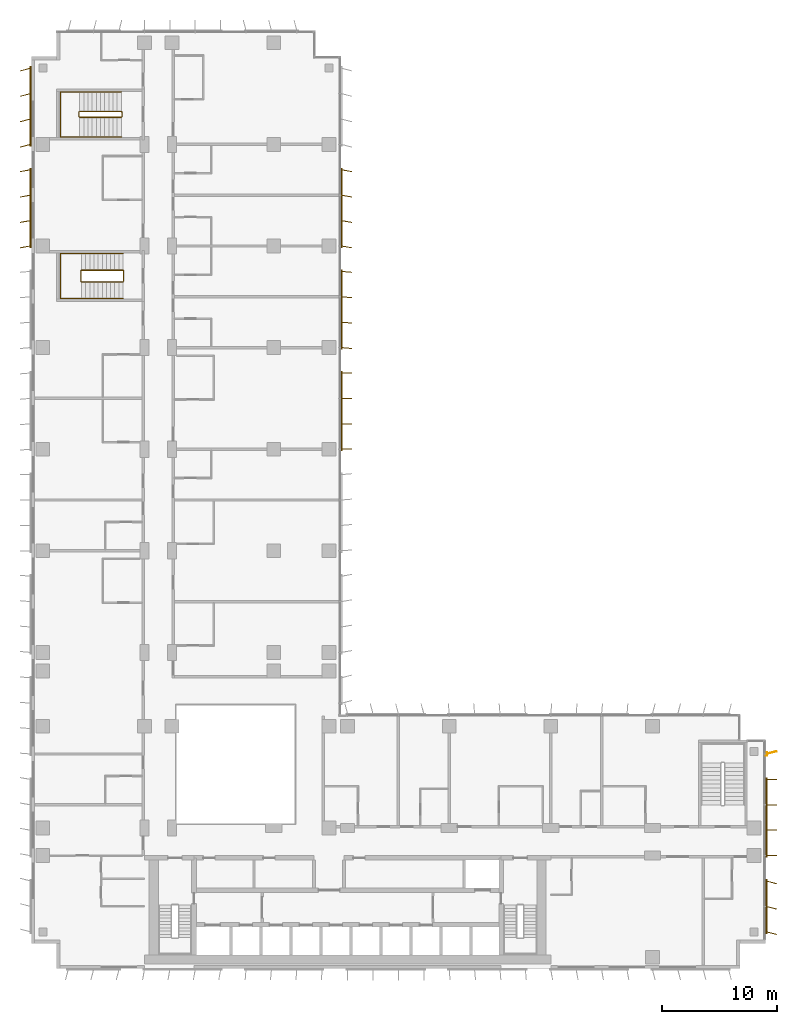
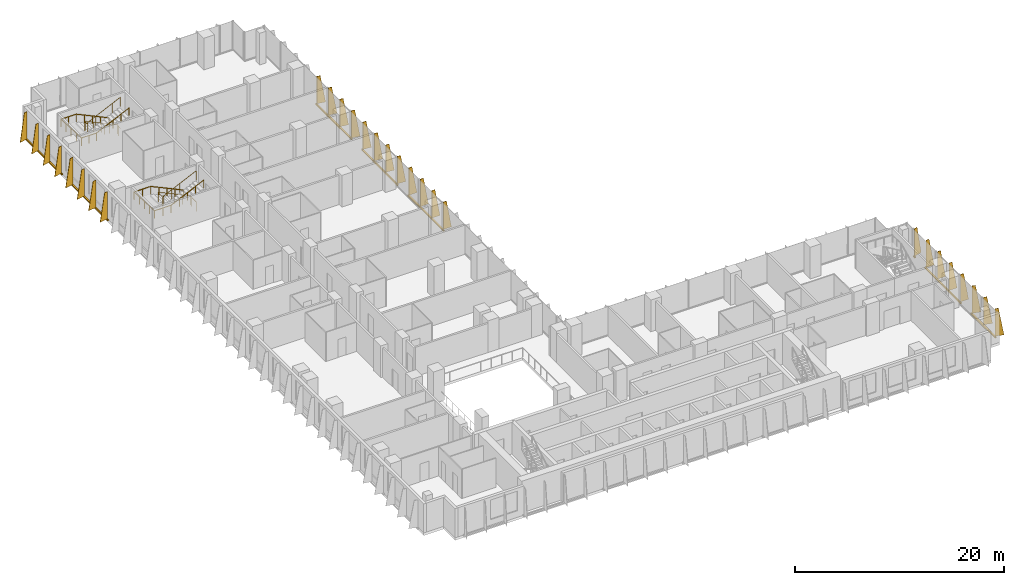
# One storey, part 21 of 22: 8 shading devices, 4 railings.
"""IFC4 building model written with IfcOpenShell, lengths in metres."""

import ifcopenshell
import ifcopenshell.guid

model = None  # the IFC model being written
_history = None  # IfcOwnerHistory: only IFC2X3 demands one
_inside = {}  # id of a spatial element -> (the spatial element, [elements in it])
_under = {}  # id of a project, library or spatial element -> (it, [spatial elements below it])
_declared = {}  # id of a project -> (the project, [libraries it declares])
_typed = {}  # id of a type object -> (the type object, [elements of that type])
_made_of = {}  # id of a material, layer set ... -> (it, [elements and type objects made of it])


def new_model(schema):
    """Start an empty IFC model of exactly this schema.

    Asked for "IFC4X3", IfcOpenShell would pick the latest addendum, in which some entities
    have other attributes; the version numbers below select the first issue.
    IFC2X3 requires an IfcOwnerHistory on every rooted entity: one is made here for all.
    """
    global model, _history
    if schema == "IFC4X3":
        model = ifcopenshell.file(schema_version=(4, 3, 0, 0))
    else:
        model = ifcopenshell.file(schema=schema)
    _inside.clear()
    _under.clear()
    _declared.clear()
    _typed.clear()
    _made_of.clear()
    _history = None
    if model.schema == "IFC2X3":
        org = make("IfcOrganization", Name="unknown")
        user = make(
            "IfcPersonAndOrganization",
            ThePerson=make("IfcPerson", FamilyName="unknown"),
            TheOrganization=org,
        )
        app = make(
            "IfcApplication",
            ApplicationDeveloper=org,
            Version="unknown",
            ApplicationFullName="unknown",
            ApplicationIdentifier="unknown",
        )
        _history = make(
            "IfcOwnerHistory",
            OwningUser=user,
            OwningApplication=app,
            ChangeAction="ADDED",
            CreationDate=0,
        )
    return model


def make(cls, **values):
    """One entity of the class cls with the attributes given. An attribute that is None is left unset."""
    return model.create_entity(
        cls, **{name: value for name, value in values.items() if value is not None}
    )


def rooted(cls, **values):
    """An entity with a GlobalId (a new one), such as an element, a storey or a relation."""
    return make(cls, GlobalId=ifcopenshell.guid.new(), OwnerHistory=_history, **values)


def si_unit(unit_type, name, prefix=None):
    """IfcSIUnit, for example si_unit("LENGTHUNIT", "METRE", prefix="MILLI")."""
    return make("IfcSIUnit", UnitType=unit_type, Prefix=prefix, Name=name)


def assignment(units):
    """IfcUnitAssignment: the units of a project."""
    return None if units is None else make("IfcUnitAssignment", Units=units)


def point(xyz):
    """IfcCartesianPoint."""
    return None if xyz is None else make("IfcCartesianPoint", Coordinates=xyz)


def direction(xyz):
    """IfcDirection."""
    return None if xyz is None else make("IfcDirection", DirectionRatios=xyz)


def frame(location, z_axis=None, x_axis=None):
    """IfcAxis2Placement3D, a coordinate frame: its origin and axes. An axis left out is left unset."""
    return make(
        "IfcAxis2Placement3D",
        Location=point(location),
        Axis=direction(z_axis),
        RefDirection=direction(x_axis),
    )


def frame_2d(location, x_axis=None):
    """IfcAxis2Placement2D, a coordinate frame in the plane: its origin and x axis."""
    return make(
        "IfcAxis2Placement2D", Location=point(location), RefDirection=direction(x_axis)
    )


def origin():
    """The frame at (0, 0, 0) with its axes left unset."""
    return frame((0.0, 0.0, 0.0))


def origin_2d():
    """The frame at (0, 0) in the plane with its x axis left unset."""
    return frame_2d((0.0, 0.0))


def place(relative_to, where):
    """IfcLocalPlacement: puts the frame where relative to a parent placement (None: the world)."""
    return make(
        "IfcLocalPlacement", PlacementRelTo=relative_to, RelativePlacement=where
    )


def context(
    kind, dimensions, precision=None, world=None, true_north=None, identifier=None
):
    """IfcGeometricRepresentationContext, for example the 3D "Model" context."""
    return make(
        "IfcGeometricRepresentationContext",
        ContextIdentifier=identifier,
        ContextType=kind,
        CoordinateSpaceDimension=dimensions,
        Precision=precision,
        WorldCoordinateSystem=world,
        TrueNorth=true_north,
    )


def subcontext(parent, identifier, kind, view, scale=None):
    """IfcGeometricRepresentationSubContext, for example "Body" below "Model"."""
    return make(
        "IfcGeometricRepresentationSubContext",
        ContextIdentifier=identifier,
        ContextType=kind,
        ParentContext=parent,
        TargetScale=scale,
        TargetView=view,
    )


def project(units=None, contexts=None):
    """IfcProject with its units and contexts."""
    return rooted(
        "IfcProject",
        Name="project",
        RepresentationContexts=contexts,
        UnitsInContext=assignment(units),
    )


def spatial(cls, under=None, at=None, **own):
    """A site, building, storey or space (cls), placed at a placement, below another one or the project."""
    s = rooted(cls, ObjectPlacement=at, **own)
    if under is not None:
        _under.setdefault(under.id(), (under, []))[1].append(s)
    return s


def polyline(points):
    """IfcPolyline through the points."""
    return make("IfcPolyline", Points=[point(p) for p in points])


def profile(cls, at=None, kind="AREA", **sizes):
    """A parametric profile (cls). Its sizes go by their IFC names, for example OverallWidth=200.0."""
    return make(cls, ProfileType=kind, Position=at, **sizes)


def rectangle(**sizes):
    """IfcRectangleProfileDef."""
    return profile("IfcRectangleProfileDef", **sizes)


def circle(**sizes):
    """IfcCircleProfileDef."""
    return profile("IfcCircleProfileDef", **sizes)


def outline(outer, holes=None, kind="AREA"):
    """IfcArbitraryClosedProfileDef: a profile drawn as a closed curve; with holes, ...WithVoids."""
    if holes is None:
        return make("IfcArbitraryClosedProfileDef", ProfileType=kind, OuterCurve=outer)
    return make(
        "IfcArbitraryProfileDefWithVoids",
        ProfileType=kind,
        OuterCurve=outer,
        InnerCurves=holes,
    )


def extrude(swept, where, along, depth):
    """IfcExtrudedAreaSolid: the profile swept, set in the frame where, extruded along a direction by depth."""
    return make(
        "IfcExtrudedAreaSolid",
        SweptArea=swept,
        Position=where,
        ExtrudedDirection=direction(along),
        Depth=depth,
    )


def shape(context_of_items, identifier, shape_type, items):
    """IfcShapeRepresentation: the items that make up one representation, for example the "Body"."""
    return make(
        "IfcShapeRepresentation",
        ContextOfItems=context_of_items,
        RepresentationIdentifier=identifier,
        RepresentationType=shape_type,
        Items=items,
    )


def source(mapping_origin, context_of_items, identifier, shape_type, items):
    """IfcRepresentationMap: a shape defined once, which mapped items show again and again."""
    return make(
        "IfcRepresentationMap",
        MappingOrigin=mapping_origin,
        MappedRepresentation=shape(context_of_items, identifier, shape_type, items),
    )


def transform(
    local_origin,
    x_axis=None,
    y_axis=None,
    z_axis=None,
    scale=None,
    scale2=None,
    scale3=None,
    uniform=True,
):
    """IfcCartesianTransformationOperator3D, or its non-uniform kind. x_axis, y_axis, z_axis: its Axis1, 2, 3."""
    if uniform:
        return make(
            "IfcCartesianTransformationOperator3D",
            Axis1=direction(x_axis),
            Axis2=direction(y_axis),
            LocalOrigin=point(local_origin),
            Scale=scale,
            Axis3=direction(z_axis),
        )
    return make(
        "IfcCartesianTransformationOperator3DnonUniform",
        Axis1=direction(x_axis),
        Axis2=direction(y_axis),
        LocalOrigin=point(local_origin),
        Scale=scale,
        Axis3=direction(z_axis),
        Scale2=scale2,
        Scale3=scale3,
    )


def mapped(mapping_source, mapping_target):
    """IfcMappedItem: shows the shape of a source again, moved by a transform."""
    return make(
        "IfcMappedItem", MappingSource=mapping_source, MappingTarget=mapping_target
    )


def material(Name=None, Category=None):
    """IfcMaterial."""
    return make("IfcMaterial", Name=Name, Category=Category)


def layer(
    of_material, thickness, ventilated=None, Name=None, Category=None, Priority=None
):
    """IfcMaterialLayer: one layer of a wall or slab, of a material (None: an air gap)."""
    return make(
        "IfcMaterialLayer",
        Material=of_material,
        LayerThickness=thickness,
        IsVentilated=ventilated,
        Name=Name,
        Category=Category,
        Priority=Priority,
    )


def layer_set(layers, Name=None):
    """IfcMaterialLayerSet."""
    return make("IfcMaterialLayerSet", MaterialLayers=layers, LayerSetName=Name)


def made_of(thing, what):
    """Note that an element or type object is made of a material, layer set ...; save() writes the relation."""
    if what is not None:
        _made_of.setdefault(what.id(), (what, []))[1].append(thing)
    return thing


def type_object(cls, material=None, **own):
    """A type object (cls), such as IfcWallType, which elements share."""
    return made_of(rooted(cls, **own), material)


def element(
    cls,
    number,
    at=None,
    inside=None,
    cuts=None,
    type_object=None,
    material=None,
    context=None,
    identifier="Body",
    shape_type=None,
    held_by="IfcProductDefinitionShape",
    body=None,
    shapes=None,
    **own,
):
    """One element of the class cls, such as IfcWall. Its Tag is "e" and its number.

    at: its placement. inside: the storey or other place that contains it. cuts: it is an
    opening in that element (IfcRelVoidsElement). A single representation is given by context,
    identifier, shape_type and body (its items); several are given by shapes. held_by: the class
    of the entity that holds the representations. save() writes the other relations.
    """
    e = rooted(cls, Tag="e%d" % number, ObjectPlacement=at, **own)
    if body is not None:
        shapes = [shape(context, identifier, shape_type, body)]
    if shapes is not None:
        e.Representation = make(held_by, Representations=shapes)
    if inside is not None:
        _inside.setdefault(inside.id(), (inside, []))[1].append(e)
    if cuts is not None:
        rooted(
            "IfcRelVoidsElement", RelatingBuildingElement=cuts, RelatedOpeningElement=e
        )
    if type_object is not None:
        _typed.setdefault(type_object.id(), (type_object, []))[1].append(e)
    return made_of(e, material)


def aggregate(whole, parts):
    """IfcRelAggregates: a whole, such as a stair, and the parts it consists of."""
    return rooted("IfcRelAggregates", RelatingObject=whole, RelatedObjects=parts)


def save(model, path):
    """Write the relations noted so far, then the file.

    IfcRelAggregates (storeys below a building ...), IfcRelContainedInSpatialStructure (elements
    in a storey), IfcRelDefinesByType, IfcRelAssociatesMaterial and IfcRelDeclares: one each for
    every whole, place, type object, material and project.
    """
    for whole, parts in _under.values():
        aggregate(whole, parts)
    for where, things in _inside.values():
        rooted(
            "IfcRelContainedInSpatialStructure",
            RelatedElements=things,
            RelatingStructure=where,
        )
    for kind, things in _typed.values():
        rooted("IfcRelDefinesByType", RelatedObjects=things, RelatingType=kind)
    for what, things in _made_of.values():
        rooted("IfcRelAssociatesMaterial", RelatedObjects=things, RelatingMaterial=what)
    for by, libraries in _declared.values():
        rooted("IfcRelDeclares", RelatingContext=by, RelatedDefinitions=libraries)
    model.write(path)


model = new_model("IFC4")

# Units and contexts
model_context = context("Model", 3, precision=1e-05, world=origin(), true_north=direction((0.0, 1.0)))
body_context = subcontext(model_context, "Body", "Model", "MODEL_VIEW")
ifc_project = project(units=[si_unit("LENGTHUNIT", "METRE"), si_unit("AREAUNIT", "SQUARE_METRE"), si_unit("VOLUMEUNIT", "CUBIC_METRE"), si_unit("PLANEANGLEUNIT", "RADIAN"), si_unit("MASSUNIT", "GRAM", prefix="KILO")], contexts=[model_context])

# Site, building, storey
site_placement = place(None, origin())
site = spatial("IfcSite", under=ifc_project, at=site_placement, CompositionType="ELEMENT")
building_placement = place(site_placement, origin())
building = spatial("IfcBuilding", under=site, at=building_placement, Name="Kemantara Hotel Tower", CompositionType="ELEMENT")
storey_placement = place(building_placement, frame((0.0, 0.0, 94.5)))
storey = spatial("IfcBuildingStorey", under=building, at=storey_placement, Name="L22", CompositionType="ELEMENT", Elevation=94.5)

# Railings
ifc_material_1 = material(Name="Stainless steel balustrade", Category="steel")
railing_type_1 = type_object("IfcRailingType", Name="Stair guard 1100 mm", PredefinedType="GUARDRAIL", material=ifc_material_1)
railing_1_placement = place(storey_placement, frame((7.949951171875, 59.5, 3.699951171875)))
element("IfcRailing", 1, at=railing_1_placement, inside=storey, type_object=railing_type_1, Name="L22 ST4 stair guard 1", PredefinedType="GUARDRAIL", context=body_context, shape_type="SweptSolid", body=[
    extrude(circle(Radius=0.02392578125, at=origin_2d()), frame((0.0, 0.0, 1.076171875), z_axis=(-0.905994681025, 0.0, -0.423289071386), x_axis=(0.0, -1.0, 0.0)), (0.0, 0.0, 1.0), 3.973388671875),
    extrude(circle(Radius=0.02392578125, at=origin_2d()), frame((-3.599853515625, 0.0, -0.60595703125), z_axis=(-0.274582412415, 0.274582412415, -0.921525364591), x_axis=(-0.707106781187, -0.707106781187, 0.0)), (0.0, 0.0, 1.0), 0.182373046875),
    extrude(circle(Radius=0.02392578125, at=origin_2d()), frame((-3.64990234375, 0.050048828125, -0.77392578125), z_axis=(0.0, 1.0, 0.0), x_axis=(-1.0, 0.0, 0.0)), (0.0, 0.0, 1.0), 0.89990234375),
    extrude(circle(Radius=0.02392578125, at=origin_2d()), frame((-3.64990234375, 0.949951171875, -0.77392578125), z_axis=(0.707106781187, 0.707106781187, 0.0), x_axis=(-0.707106781187, 0.707106781187, 0.0)), (0.0, 0.0, 1.0), 0.07080078125),
    extrude(circle(Radius=0.02392578125, at=origin_2d()), frame((-3.599853515625, 1.0, -0.77392578125), z_axis=(0.905994681025, 0.0, -0.423289071386), x_axis=(0.0, 1.0, 0.0)), (0.0, 0.0, 1.0), 3.973388671875),
    extrude(circle(Radius=0.02392578125, at=origin_2d()), frame((0.0, 1.0, -2.45556640625), z_axis=(0.274243871929, -0.274243871929, -0.92172696468), x_axis=(0.707106781187, 0.707106781187, 0.0)), (0.0, 0.0, 1.0), 0.1826171875),
    extrude(circle(Radius=0.02392578125, at=origin_2d()), frame((0.050048828125, 0.949951171875, -2.6240234375), z_axis=(0.0, -1.0, 0.0), x_axis=(1.0, 0.0, 0.0)), (0.0, 0.0, 1.0), 0.89990234375),
    extrude(circle(Radius=0.02099609375, at=origin_2d()), origin(), (0.0, 0.0, 1.0), 1.052001953125),
    extrude(circle(Radius=0.02099609375, at=origin_2d()), frame((-0.89990234375, 0.0, -0.42041015625)), (0.0, 0.0, 1.0), 1.052001953125),
    extrude(circle(Radius=0.02099609375, at=origin_2d()), frame((-1.7998046875, 0.0, -0.8408203125)), (0.0, 0.0, 1.0), 1.052001953125),
    extrude(circle(Radius=0.02099609375, at=origin_2d()), frame((-2.699951171875, 0.0, -1.261474609375)), (0.0, 0.0, 1.0), 1.052001953125),
    extrude(circle(Radius=0.02099609375, at=origin_2d()), frame((-3.599853515625, 0.0, -1.681884765625)), (0.0, 0.0, 1.0), 1.052001953125),
    extrude(circle(Radius=0.02099609375, at=origin_2d()), frame((-3.64990234375, 0.050048828125, -1.849853515625)), (0.0, 0.0, 1.0), 1.052001953125),
    extrude(circle(Radius=0.02099609375, at=origin_2d()), frame((-3.64990234375, 0.949951171875, -1.849853515625)), (0.0, 0.0, 1.0), 1.052001953125),
    extrude(circle(Radius=0.02099609375, at=origin_2d()), frame((-3.599853515625, 1.0, -1.849853515625)), (0.0, 0.0, 1.0), 1.052001953125),
    extrude(circle(Radius=0.02099609375, at=origin_2d()), frame((-2.699951171875, 1.0, -2.270263671875)), (0.0, 0.0, 1.0), 1.052001953125),
    extrude(circle(Radius=0.02099609375, at=origin_2d()), frame((-1.7998046875, 1.0, -2.69091796875)), (0.0, 0.0, 1.0), 1.052001953125),
    extrude(circle(Radius=0.02099609375, at=origin_2d()), frame((-0.89990234375, 1.0, -3.111328125)), (0.0, 0.0, 1.0), 1.052001953125),
    extrude(circle(Radius=0.02099609375, at=origin_2d()), frame((0.0, 1.0, -3.53173828125)), (0.0, 0.0, 1.0), 1.052001953125),
    extrude(circle(Radius=0.02099609375, at=origin_2d()), frame((0.050048828125, 0.949951171875, -3.699951171875)), (0.0, 0.0, 1.0), 1.052001953125),
    extrude(circle(Radius=0.02099609375, at=origin_2d()), frame((0.050048828125, 0.050048828125, -3.699951171875)), (0.0, 0.0, 1.0), 1.052001953125),
])
railing_2_placement = place(storey_placement, frame((7.800048828125, 73.75, 3.699951171875)))
element("IfcRailing", 2, at=railing_2_placement, inside=storey, type_object=railing_type_1, Name="L22 ST6 stair guard 1", PredefinedType="GUARDRAIL", context=body_context, shape_type="SweptSolid", body=[
    extrude(circle(Radius=0.02392578125, at=origin_2d()), frame((0.0, 0.0, 1.076171875), z_axis=(-0.906005689286, 0.0, -0.423265508849), x_axis=(0.0, -1.0, 0.0)), (0.0, 0.0, 1.0), 3.9736328125),
    extrude(circle(Radius=0.02392578125, at=origin_2d()), frame((-3.60009765625, 0.0, -0.60595703125), z_axis=(-0.274582412415, 0.274582412415, -0.921525364591), x_axis=(-0.707106781187, -0.707106781187, 0.0)), (0.0, 0.0, 1.0), 0.182373046875),
    extrude(circle(Radius=0.02392578125, at=origin_2d()), frame((-3.650146484375, 0.050048828125, -0.77392578125), z_axis=(0.0, 1.0, 0.0), x_axis=(-1.0, 0.0, 0.0)), (0.0, 0.0, 1.0), 0.39990234375),
    extrude(circle(Radius=0.02392578125, at=origin_2d()), frame((-3.650146484375, 0.449951171875, -0.77392578125), z_axis=(0.707106781187, 0.707106781187, 0.0), x_axis=(-0.707106781187, 0.707106781187, 0.0)), (0.0, 0.0, 1.0), 0.07080078125),
    extrude(circle(Radius=0.02392578125, at=origin_2d()), frame((-3.60009765625, 0.5, -0.77392578125), z_axis=(0.906005689286, 0.0, -0.423265508849), x_axis=(0.0, 1.0, 0.0)), (0.0, 0.0, 1.0), 3.9736328125),
    extrude(circle(Radius=0.02392578125, at=origin_2d()), frame((0.0, 0.5, -2.45556640625), z_axis=(0.274243871929, -0.274243871929, -0.92172696468), x_axis=(0.707106781187, 0.707106781187, 0.0)), (0.0, 0.0, 1.0), 0.1826171875),
    extrude(circle(Radius=0.02392578125, at=origin_2d()), frame((0.050048828125, 0.449951171875, -2.6240234375), z_axis=(0.0, -1.0, 0.0), x_axis=(1.0, 0.0, 0.0)), (0.0, 0.0, 1.0), 0.39990234375),
    extrude(circle(Radius=0.02099609375, at=origin_2d()), origin(), (0.0, 0.0, 1.0), 1.052001953125),
    extrude(circle(Radius=0.02099609375, at=origin_2d()), frame((-0.89990234375, 0.0, -0.42041015625)), (0.0, 0.0, 1.0), 1.052001953125),
    extrude(circle(Radius=0.02099609375, at=origin_2d()), frame((-1.800048828125, 0.0, -0.8408203125)), (0.0, 0.0, 1.0), 1.052001953125),
    extrude(circle(Radius=0.02099609375, at=origin_2d()), frame((-2.7001953125, 0.0, -1.261474609375)), (0.0, 0.0, 1.0), 1.052001953125),
    extrude(circle(Radius=0.02099609375, at=origin_2d()), frame((-3.60009765625, 0.0, -1.681884765625)), (0.0, 0.0, 1.0), 1.052001953125),
    extrude(circle(Radius=0.02099609375, at=origin_2d()), frame((-3.650146484375, 0.050048828125, -1.849853515625)), (0.0, 0.0, 1.0), 1.052001953125),
    extrude(circle(Radius=0.02099609375, at=origin_2d()), frame((-3.650146484375, 0.449951171875, -1.849853515625)), (0.0, 0.0, 1.0), 1.052001953125),
    extrude(circle(Radius=0.02099609375, at=origin_2d()), frame((-3.60009765625, 0.5, -1.849853515625)), (0.0, 0.0, 1.0), 1.052001953125),
    extrude(circle(Radius=0.02099609375, at=origin_2d()), frame((-2.7001953125, 0.5, -2.270263671875)), (0.0, 0.0, 1.0), 1.052001953125),
    extrude(circle(Radius=0.02099609375, at=origin_2d()), frame((-1.800048828125, 0.5, -2.69091796875)), (0.0, 0.0, 1.0), 1.052001953125),
    extrude(circle(Radius=0.02099609375, at=origin_2d()), frame((-0.89990234375, 0.5, -3.111328125)), (0.0, 0.0, 1.0), 1.052001953125),
    extrude(circle(Radius=0.02099609375, at=origin_2d()), frame((0.0, 0.5, -3.53173828125)), (0.0, 0.0, 1.0), 1.052001953125),
    extrude(circle(Radius=0.02099609375, at=origin_2d()), frame((0.050048828125, 0.449951171875, -3.699951171875)), (0.0, 0.0, 1.0), 1.052001953125),
    extrude(circle(Radius=0.02099609375, at=origin_2d()), frame((0.050048828125, 0.050048828125, -3.699951171875)), (0.0, 0.0, 1.0), 1.052001953125),
])
railing_type_2 = type_object("IfcRailingType", Name="Stair handrail 900 mm", PredefinedType="HANDRAIL", material=ifc_material_1)
railing_3_placement = place(storey_placement, frame((7.949951171875, 61.949951171875, 0.168212890625)))
element("IfcRailing", 3, at=railing_3_placement, inside=storey, type_object=railing_type_2, Name="L22 ST4 stair handrail 1", PredefinedType="HANDRAIL", context=body_context, shape_type="SweptSolid", body=[
    extrude(circle(Radius=0.02392578125, at=origin_2d()), frame((0.0, 0.0, 0.8759765625), z_axis=(-0.905994681025, 0.0, 0.423289071386), x_axis=(0.0, -1.0, 0.0)), (0.0, 0.0, 1.0), 3.973388671875),
    extrude(circle(Radius=0.02392578125, at=origin_2d()), frame((-3.599853515625, 0.0, 2.5576171875), z_axis=(-1.0, 0.0, 0.0), x_axis=(0.0, -1.0, 0.0)), (0.0, 0.0, 1.0), 1.830078125),
    extrude(circle(Radius=0.02392578125, at=origin_2d()), frame((-5.429931640625, 0.0, 2.5576171875), z_axis=(0.0, -0.999073776461, 0.043030096294), x_axis=(1.0, 0.0, 0.0)), (0.0, 0.0, 1.0), 3.903564453125),
    extrude(circle(Radius=0.02392578125, at=origin_2d()), frame((-5.429931640625, -3.89990234375, 2.7255859375), z_axis=(1.0, 0.0, 0.0), x_axis=(0.0, 1.0, 0.0)), (0.0, 0.0, 1.0), 1.830078125),
    extrude(circle(Radius=0.02392578125, at=origin_2d()), frame((-3.599853515625, -3.89990234375, 2.7255859375), z_axis=(0.905994681025, 0.0, 0.423289071386), x_axis=(0.0, 1.0, 0.0)), (0.0, 0.0, 1.0), 3.973388671875),
    extrude(circle(Radius=0.02099609375, at=origin_2d()), origin(), (0.0, 0.0, 1.0), 0.851806640625),
    extrude(circle(Radius=0.02099609375, at=origin_2d()), frame((-0.89990234375, 0.0, 0.42041015625)), (0.0, 0.0, 1.0), 0.851806640625),
    extrude(circle(Radius=0.02099609375, at=origin_2d()), frame((-1.7998046875, 0.0, 0.8408203125)), (0.0, 0.0, 1.0), 0.851806640625),
    extrude(circle(Radius=0.02099609375, at=origin_2d()), frame((-2.699951171875, 0.0, 1.261474609375)), (0.0, 0.0, 1.0), 0.851806640625),
    extrude(circle(Radius=0.02099609375, at=origin_2d()), frame((-3.599853515625, 0.0, 1.681884765625)), (0.0, 0.0, 1.0), 0.851806640625),
    extrude(circle(Radius=0.02099609375, at=origin_2d()), frame((-4.514892578125, 0.0, 1.681884765625)), (0.0, 0.0, 1.0), 0.851806640625),
    extrude(circle(Radius=0.02099609375, at=origin_2d()), frame((-5.429931640625, 0.0, 1.681884765625)), (0.0, 0.0, 1.0), 0.851806640625),
    extrude(circle(Radius=0.02099609375, at=origin_2d()), frame((-5.429931640625, -0.97509765625, 1.723876953125)), (0.0, 0.0, 1.0), 0.851806640625),
    extrude(circle(Radius=0.02099609375, at=origin_2d()), frame((-5.429931640625, -1.949951171875, 1.765869140625)), (0.0, 0.0, 1.0), 0.851806640625),
    extrude(circle(Radius=0.02099609375, at=origin_2d()), frame((-5.429931640625, -2.9248046875, 1.807861328125)), (0.0, 0.0, 1.0), 0.851806640625),
    extrude(circle(Radius=0.02099609375, at=origin_2d()), frame((-5.429931640625, -3.89990234375, 1.849853515625)), (0.0, 0.0, 1.0), 0.851806640625),
    extrude(circle(Radius=0.02099609375, at=origin_2d()), frame((-4.514892578125, -3.89990234375, 1.849853515625)), (0.0, 0.0, 1.0), 0.851806640625),
    extrude(circle(Radius=0.02099609375, at=origin_2d()), frame((-3.599853515625, -3.89990234375, 1.849853515625)), (0.0, 0.0, 1.0), 0.851806640625),
    extrude(circle(Radius=0.02099609375, at=origin_2d()), frame((-2.699951171875, -3.89990234375, 2.270263671875)), (0.0, 0.0, 1.0), 0.851806640625),
    extrude(circle(Radius=0.02099609375, at=origin_2d()), frame((-1.7998046875, -3.89990234375, 2.69091796875)), (0.0, 0.0, 1.0), 0.851806640625),
    extrude(circle(Radius=0.02099609375, at=origin_2d()), frame((-0.89990234375, -3.89990234375, 3.111328125)), (0.0, 0.0, 1.0), 0.851806640625),
    extrude(circle(Radius=0.02099609375, at=origin_2d()), frame((0.0, -3.89990234375, 3.53173828125)), (0.0, 0.0, 1.0), 0.851806640625),
])
railing_4_placement = place(storey_placement, frame((7.800048828125, 75.949951171875, 0.168212890625)))
element("IfcRailing", 4, at=railing_4_placement, inside=storey, type_object=railing_type_2, Name="L22 ST6 stair handrail 1", PredefinedType="HANDRAIL", context=body_context, shape_type="SweptSolid", body=[
    extrude(circle(Radius=0.02392578125, at=origin_2d()), frame((0.0, 0.0, 0.8759765625), z_axis=(-0.906005689286, 0.0, 0.423265508849), x_axis=(0.0, -1.0, 0.0)), (0.0, 0.0, 1.0), 3.9736328125),
    extrude(circle(Radius=0.02392578125, at=origin_2d()), frame((-3.60009765625, 0.0, 2.5576171875), z_axis=(-1.0, 0.0, 0.0), x_axis=(0.0, -1.0, 0.0)), (0.0, 0.0, 1.0), 1.679931640625),
    extrude(circle(Radius=0.02392578125, at=origin_2d()), frame((-5.280029296875, 0.0, 2.5576171875), z_axis=(0.0, -0.999073776461, 0.043030096294), x_axis=(1.0, 0.0, 0.0)), (0.0, 0.0, 1.0), 3.903564453125),
    extrude(circle(Radius=0.02392578125, at=origin_2d()), frame((-5.280029296875, -3.89990234375, 2.7255859375), z_axis=(1.0, 0.0, 0.0), x_axis=(0.0, 1.0, 0.0)), (0.0, 0.0, 1.0), 1.679931640625),
    extrude(circle(Radius=0.02392578125, at=origin_2d()), frame((-3.60009765625, -3.89990234375, 2.7255859375), z_axis=(0.906005689286, 0.0, 0.423265508849), x_axis=(0.0, 1.0, 0.0)), (0.0, 0.0, 1.0), 3.9736328125),
    extrude(circle(Radius=0.02099609375, at=origin_2d()), origin(), (0.0, 0.0, 1.0), 0.851806640625),
    extrude(circle(Radius=0.02099609375, at=origin_2d()), frame((-0.89990234375, 0.0, 0.42041015625)), (0.0, 0.0, 1.0), 0.851806640625),
    extrude(circle(Radius=0.02099609375, at=origin_2d()), frame((-1.800048828125, 0.0, 0.8408203125)), (0.0, 0.0, 1.0), 0.851806640625),
    extrude(circle(Radius=0.02099609375, at=origin_2d()), frame((-2.7001953125, 0.0, 1.261474609375)), (0.0, 0.0, 1.0), 0.851806640625),
    extrude(circle(Radius=0.02099609375, at=origin_2d()), frame((-3.60009765625, 0.0, 1.681884765625)), (0.0, 0.0, 1.0), 0.851806640625),
    extrude(circle(Radius=0.02099609375, at=origin_2d()), frame((-4.43994140625, 0.0, 1.681884765625)), (0.0, 0.0, 1.0), 0.851806640625),
    extrude(circle(Radius=0.02099609375, at=origin_2d()), frame((-5.280029296875, 0.0, 1.681884765625)), (0.0, 0.0, 1.0), 0.851806640625),
    extrude(circle(Radius=0.02099609375, at=origin_2d()), frame((-5.280029296875, -0.97509765625, 1.723876953125)), (0.0, 0.0, 1.0), 0.851806640625),
    extrude(circle(Radius=0.02099609375, at=origin_2d()), frame((-5.280029296875, -1.949951171875, 1.765869140625)), (0.0, 0.0, 1.0), 0.851806640625),
    extrude(circle(Radius=0.02099609375, at=origin_2d()), frame((-5.280029296875, -2.9248046875, 1.807861328125)), (0.0, 0.0, 1.0), 0.851806640625),
    extrude(circle(Radius=0.02099609375, at=origin_2d()), frame((-5.280029296875, -3.89990234375, 1.849853515625)), (0.0, 0.0, 1.0), 0.851806640625),
    extrude(circle(Radius=0.02099609375, at=origin_2d()), frame((-4.43994140625, -3.89990234375, 1.849853515625)), (0.0, 0.0, 1.0), 0.851806640625),
    extrude(circle(Radius=0.02099609375, at=origin_2d()), frame((-3.60009765625, -3.89990234375, 1.849853515625)), (0.0, 0.0, 1.0), 0.851806640625),
    extrude(circle(Radius=0.02099609375, at=origin_2d()), frame((-2.7001953125, -3.89990234375, 2.270263671875)), (0.0, 0.0, 1.0), 0.851806640625),
    extrude(circle(Radius=0.02099609375, at=origin_2d()), frame((-1.800048828125, -3.89990234375, 2.69091796875)), (0.0, 0.0, 1.0), 0.851806640625),
    extrude(circle(Radius=0.02099609375, at=origin_2d()), frame((-0.89990234375, -3.89990234375, 3.111328125)), (0.0, 0.0, 1.0), 0.851806640625),
    extrude(circle(Radius=0.02099609375, at=origin_2d()), frame((0.0, -3.89990234375, 3.53173828125)), (0.0, 0.0, 1.0), 0.851806640625),
])

# Shading devices
ifc_material_2 = material(Name="Perforated aluminium plate 4 mm bronze anodised", Category="aluminium")
ifc_layer_1 = layer(ifc_material_2, 0.0400390625)
ifc_layer_set_1 = layer_set([ifc_layer_1], Name="Perforated aluminium plate 4 mm bronze anodised")
shading_device_type_1 = type_object("IfcShadingDeviceType", Name="SCREEN FIN CASSETTE, 3 BLADES AT -15.0 DEG, 3200 HIGH", PredefinedType="USERDEFINED", material=ifc_layer_set_1)
shared_shape_1 = source(origin(), body_context, "Body", "SweptSolid", [
    extrude(rectangle(XDim=4.699951171875, YDim=0.14990234375, at=origin_2d()), frame((2.199951171875, -0.074951171875, -0.14990234375), z_axis=(0.0, 0.0, 1.0), x_axis=(1.0, 0.0, 0.0)), (0.0, 0.0, 1.0), 0.14990234375),
    extrude(outline(polyline([(0.0, 0.0), (0.89990234375, 0.0), (0.35009765625, 3.199951171875), (0.0, 3.199951171875), (0.0, 0.0)])), frame((0.019287109375, -0.080078125, 0.0), z_axis=(-0.966437683387, 0.256901156343, 0.0), x_axis=(-0.256901156343, -0.966437683387, 0.0)), (0.0, 0.0, 1.0), 0.039794921875),
    extrude(outline(polyline([(0.0, 0.0), (0.89990234375, 0.0), (0.35009765625, 3.199951171875), (0.0, 3.199951171875), (0.0, 0.0)])), frame((2.21923828125, -0.080078125, 0.0), z_axis=(-0.966437683387, 0.256901156343, 0.0), x_axis=(-0.256901156343, -0.966437683387, 0.0)), (0.0, 0.0, 1.0), 0.039794921875),
    extrude(outline(polyline([(0.0, 0.0), (0.89990234375, 0.0), (0.35009765625, 3.199951171875), (0.0, 3.199951171875), (0.0, 0.0)])), frame((4.41943359375, -0.080078125, 0.0), z_axis=(-0.966837822169, 0.255391122837, 0.0), x_axis=(-0.255391122837, -0.966837822169, 0.0)), (0.0, 0.0, 1.0), 0.0400390625),
])
shading_device_1_placement = place(storey_placement, frame((63.60009765625, 3.199951171875, 0.10009765625), z_axis=(0.0, 0.0, 1.0), x_axis=(0.0, 1.0, 0.0)))
element("IfcShadingDevice", 5, at=shading_device_1_placement, inside=storey, type_object=shading_device_type_1, Name="SCREEN FIN CASSETTE L22 T2-R10-1", ObjectType="SCREEN FIN", PredefinedType="USERDEFINED", context=body_context, shape_type="MappedRepresentation", body=[
    mapped(shared_shape_1, transform((0.0, 0.0, 0.0))),
])
ifc_layer_2 = layer(ifc_material_2, 0.0400390625)
ifc_layer_set_2 = layer_set([ifc_layer_2], Name="Perforated aluminium plate 4 mm bronze anodised")
shading_device_type_2 = type_object("IfcShadingDeviceType", Name="SCREEN FIN CASSETTE, 4 BLADES AT -10.0 DEG, 3200 HIGH", PredefinedType="USERDEFINED", material=ifc_layer_set_2)
shared_shape_2 = source(origin(), body_context, "Body", "SweptSolid", [
    extrude(rectangle(XDim=6.89990234375, YDim=0.14990234375, at=origin_2d()), frame((3.300048828125, -0.074951171875, -0.14990234375), z_axis=(0.0, 0.0, 1.0), x_axis=(1.0, 0.0, 0.0)), (0.0, 0.0, 1.0), 0.14990234375),
    extrude(outline(polyline([(0.0, 0.0), (0.89990234375, 0.0), (0.35009765625, 3.199951171875), (0.0, 3.199951171875), (0.0, 0.0)])), frame((0.019775390625, -0.078369140625, 0.0), z_axis=(-0.985389793052, 0.170314285219, 0.0), x_axis=(-0.170314285219, -0.985389793052, 0.0)), (0.0, 0.0, 1.0), 0.0400390625),
    extrude(outline(polyline([(0.0, 0.0), (0.89990234375, 0.0), (0.35009765625, 3.199951171875), (0.0, 3.199951171875), (0.0, 0.0)])), frame((2.2197265625, -0.078369140625, 0.0), z_axis=(-0.98521175482, 0.171341174751, 0.0), x_axis=(-0.171341174751, -0.98521175482, 0.0)), (0.0, 0.0, 1.0), 0.039794921875),
    extrude(outline(polyline([(0.0, 0.0), (0.89990234375, 0.0), (0.35009765625, 3.199951171875), (0.0, 3.199951171875), (0.0, 0.0)])), frame((4.419677734375, -0.078369140625, 0.0), z_axis=(-0.98521175482, 0.171341174751, 0.0), x_axis=(-0.171341174751, -0.98521175482, 0.0)), (0.0, 0.0, 1.0), 0.039794921875),
    extrude(outline(polyline([(0.0, 0.0), (0.89990234375, 0.0), (0.35009765625, 3.199951171875), (0.0, 3.199951171875), (0.0, 0.0)])), frame((6.61962890625, -0.078369140625, 0.0), z_axis=(-0.98521175482, 0.171341174751, 0.0), x_axis=(-0.171341174751, -0.98521175482, 0.0)), (0.0, 0.0, 1.0), 0.039794921875),
])
shading_device_2_placement = place(storey_placement, frame((26.800048828125, 62.60009765625, 0.10009765625), z_axis=(0.0, 0.0, 1.0), x_axis=(0.0, 1.0, 0.0)))
element("IfcShadingDevice", 6, at=shading_device_2_placement, inside=storey, type_object=shading_device_type_2, Name="SCREEN FIN CASSETTE L22 T2-R14-6", ObjectType="SCREEN FIN", PredefinedType="USERDEFINED", context=body_context, shape_type="MappedRepresentation", body=[
    mapped(shared_shape_2, transform((0.0, 0.0, 0.0))),
])
ifc_layer_3 = layer(ifc_material_2, 0.0400390625)
ifc_layer_set_3 = layer_set([ifc_layer_3], Name="Perforated aluminium plate 4 mm bronze anodised")
shading_device_type_3 = type_object("IfcShadingDeviceType", Name="SCREEN FIN CASSETTE, 4 BLADES AT -5.0 DEG, 3200 HIGH", PredefinedType="USERDEFINED", material=ifc_layer_set_3)
shared_shape_3 = source(origin(), body_context, "Body", "SweptSolid", [
    extrude(rectangle(XDim=6.89990234375, YDim=0.14990234375, at=origin_2d()), frame((3.300048828125, -0.074951171875, -0.14990234375), z_axis=(0.0, 0.0, 1.0), x_axis=(1.0, 0.0, 0.0)), (0.0, 0.0, 1.0), 0.14990234375),
    extrude(outline(polyline([(0.0, 0.0), (0.89990234375, 0.0), (0.35009765625, 3.199951171875), (0.0, 3.199951171875), (0.0, 0.0)])), frame((0.02001953125, -0.07666015625, 0.0), z_axis=(-0.996376129781, 0.085056498884, 0.0), x_axis=(-0.085056498884, -0.996376129781, 0.0)), (0.0, 0.0, 1.0), 0.040283203125),
    extrude(outline(polyline([(0.0, 0.0), (0.89990234375, 0.0), (0.35009765625, 3.199951171875), (0.0, 3.199951171875), (0.0, 0.0)])), frame((2.219970703125, -0.07666015625, 0.0), z_axis=(-0.996331773833, 0.085574508182, 0.0), x_axis=(-0.085574508182, -0.996331773833, 0.0)), (0.0, 0.0, 1.0), 0.0400390625),
    extrude(outline(polyline([(0.0, 0.0), (0.89990234375, 0.0), (0.35009765625, 3.199951171875), (0.0, 3.199951171875), (0.0, 0.0)])), frame((4.419921875, -0.07666015625, 0.0), z_axis=(-0.996331773833, 0.085574508182, 0.0), x_axis=(-0.085574508182, -0.996331773833, 0.0)), (0.0, 0.0, 1.0), 0.0400390625),
    extrude(outline(polyline([(0.0, 0.0), (0.89990234375, 0.0), (0.35009765625, 3.199951171875), (0.0, 3.199951171875), (0.0, 0.0)])), frame((6.619873046875, -0.07666015625, 0.0), z_axis=(-0.996331773833, 0.085574508182, 0.0), x_axis=(-0.085574508182, -0.996331773833, 0.0)), (0.0, 0.0, 1.0), 0.0400390625),
])
shading_device_3_placement = place(storey_placement, frame((26.800048828125, 53.800048828125, 0.10009765625), z_axis=(0.0, 0.0, 1.0), x_axis=(0.0, 1.0, 0.0)))
element("IfcShadingDevice", 7, at=shading_device_3_placement, inside=storey, type_object=shading_device_type_3, Name="SCREEN FIN CASSETTE L22 T2-R14-5", ObjectType="SCREEN FIN", PredefinedType="USERDEFINED", context=body_context, shape_type="MappedRepresentation", body=[
    mapped(shared_shape_3, transform((0.0, 0.0, 0.0))),
])
ifc_layer_4 = layer(ifc_material_2, 0.0400390625)
ifc_layer_set_4 = layer_set([ifc_layer_4], Name="Perforated aluminium plate 4 mm bronze anodised")
shading_device_type_4 = type_object("IfcShadingDeviceType", Name="SCREEN FIN CASSETTE, 4 BLADES AT +0.0 DEG, 3200 HIGH", PredefinedType="USERDEFINED", material=ifc_layer_set_4)
shared_shape_4 = source(origin(), body_context, "Body", "SweptSolid", [
    extrude(rectangle(XDim=6.89990234375, YDim=0.14990234375, at=origin_2d()), frame((3.300048828125, -0.074951171875, -0.14990234375), z_axis=(0.0, 0.0, 1.0), x_axis=(1.0, 0.0, 0.0)), (0.0, 0.0, 1.0), 0.14990234375),
    extrude(outline(polyline([(0.0, 0.0), (0.89990234375, 0.0), (0.35009765625, 3.199951171875), (0.0, 3.199951171875), (0.0, 0.0)])), frame((0.02001953125, -0.074951171875, 0.0), z_axis=(-1.0, 0.0, 0.0), x_axis=(0.0, -1.0, 0.0)), (0.0, 0.0, 1.0), 0.0400390625),
    extrude(outline(polyline([(0.0, 0.0), (0.89990234375, 0.0), (0.35009765625, 3.199951171875), (0.0, 3.199951171875), (0.0, 0.0)])), frame((2.219970703125, -0.074951171875, 0.0), z_axis=(-1.0, 0.0, 0.0), x_axis=(0.0, -1.0, 0.0)), (0.0, 0.0, 1.0), 0.0400390625),
    extrude(outline(polyline([(0.0, 0.0), (0.89990234375, 0.0), (0.35009765625, 3.199951171875), (0.0, 3.199951171875), (0.0, 0.0)])), frame((4.419921875, -0.074951171875, 0.0), z_axis=(-1.0, 0.0, 0.0), x_axis=(0.0, -1.0, 0.0)), (0.0, 0.0, 1.0), 0.0400390625),
    extrude(outline(polyline([(0.0, 0.0), (0.89990234375, 0.0), (0.35009765625, 3.199951171875), (0.0, 3.199951171875), (0.0, 0.0)])), frame((6.6201171875, -0.074951171875, 0.0), z_axis=(-1.0, 0.0, 0.0), x_axis=(0.0, -1.0, 0.0)), (0.0, 0.0, 1.0), 0.0400390625),
])
for number, where, z_axis, x_axis, name in (
    (8, (63.60009765625, 9.800048828125, 0.10009765625), (0.0, 0.0, 1.0), (0.0, 1.0, 0.0), "SCREEN FIN CASSETTE L22 T2-R10-2"),
    (9, (26.800048828125, 45.0, 0.10009765625), (0.0, 0.0, 1.0), (0.0, 1.0, 0.0), "SCREEN FIN CASSETTE L22 T2-R14-4"),
):
    element("IfcShadingDevice", number, at=place(storey_placement, frame(where, z_axis=z_axis, x_axis=x_axis)), inside=storey, type_object=shading_device_type_4, Name=name, ObjectType="SCREEN FIN", PredefinedType="USERDEFINED", context=body_context, shape_type="MappedRepresentation", body=[
        mapped(shared_shape_4, transform((0.0, 0.0, 0.0))),
    ])
ifc_layer_5 = layer(ifc_material_2, 0.0400390625)
ifc_layer_set_5 = layer_set([ifc_layer_5], Name="Perforated aluminium plate 4 mm bronze anodised")
shading_device_type_5 = type_object("IfcShadingDeviceType", Name="SCREEN FIN CASSETTE, 4 BLADES AT +10.0 DEG, 3200 HIGH", PredefinedType="USERDEFINED", material=ifc_layer_set_5)
shared_shape_5 = source(origin(), body_context, "Body", "SweptSolid", [
    extrude(rectangle(XDim=6.89990234375, YDim=0.14990234375, at=origin_2d()), frame((3.300048828125, -0.074951171875, -0.14990234375), z_axis=(0.0, 0.0, 1.0), x_axis=(1.0, 0.0, 0.0)), (0.0, 0.0, 1.0), 0.14990234375),
    extrude(outline(polyline([(0.0, 0.0), (0.89990234375, 0.0), (0.35009765625, 3.199951171875), (0.0, 3.199951171875), (0.0, 0.0)])), frame((0.019775390625, -0.071533203125, 0.0), z_axis=(-0.985389793052, -0.170314285219, 0.0), x_axis=(0.170314285219, -0.985389793052, 0.0)), (0.0, 0.0, 1.0), 0.0400390625),
    extrude(outline(polyline([(0.0, 0.0), (0.89990234375, 0.0), (0.35009765625, 3.199951171875), (0.0, 3.199951171875), (0.0, 0.0)])), frame((2.2197265625, -0.071533203125, 0.0), z_axis=(-0.98521175482, -0.171341174751, 0.0), x_axis=(0.171341174751, -0.98521175482, 0.0)), (0.0, 0.0, 1.0), 0.039794921875),
    extrude(outline(polyline([(0.0, 0.0), (0.89990234375, 0.0), (0.35009765625, 3.199951171875), (0.0, 3.199951171875), (0.0, 0.0)])), frame((4.419677734375, -0.071533203125, 0.0), z_axis=(-0.98521175482, -0.171341174751, 0.0), x_axis=(0.171341174751, -0.98521175482, 0.0)), (0.0, 0.0, 1.0), 0.039794921875),
    extrude(outline(polyline([(0.0, 0.0), (0.89990234375, 0.0), (0.35009765625, 3.199951171875), (0.0, 3.199951171875), (0.0, 0.0)])), frame((6.61962890625, -0.071533203125, 0.0), z_axis=(-0.98521175482, -0.171341174751, 0.0), x_axis=(0.171341174751, -0.98521175482, 0.0)), (0.0, 0.0, 1.0), 0.039794921875),
])
shading_device_4_placement = place(storey_placement, frame((0.0, 69.199951171875, 0.10009765625), z_axis=(0.0, 0.0, 1.0), x_axis=(0.0, -1.0, 0.0)))
element("IfcShadingDevice", 10, at=shading_device_4_placement, inside=storey, type_object=shading_device_type_5, Name="SCREEN FIN CASSETTE L22 T2-R04-2", ObjectType="SCREEN FIN", PredefinedType="USERDEFINED", context=body_context, shape_type="MappedRepresentation", body=[
    mapped(shared_shape_5, transform((0.0, 0.0, 0.0))),
])
ifc_layer_6 = layer(ifc_material_2, 0.0400390625)
ifc_layer_set_6 = layer_set([ifc_layer_6], Name="Perforated aluminium plate 4 mm bronze anodised")
shading_device_type_6 = type_object("IfcShadingDeviceType", Name="SCREEN FIN CASSETTE, 4 BLADES AT +15.0 DEG, 3200 HIGH", PredefinedType="USERDEFINED", material=ifc_layer_set_6)
shared_shape_6 = source(origin(), body_context, "Body", "SweptSolid", [
    extrude(rectangle(XDim=6.89990234375, YDim=0.14990234375, at=origin_2d()), frame((3.300048828125, -0.074951171875, -0.14990234375), z_axis=(0.0, 0.0, 1.0), x_axis=(1.0, 0.0, 0.0)), (0.0, 0.0, 1.0), 0.14990234375),
    extrude(outline(polyline([(0.0, 0.0), (0.89990234375, 0.0), (0.35009765625, 3.199951171875), (0.0, 3.199951171875), (0.0, 0.0)])), frame((0.019287109375, -0.06982421875, 0.0), z_axis=(-0.966437683387, -0.256901156343, 0.0), x_axis=(0.256901156343, -0.966437683387, 0.0)), (0.0, 0.0, 1.0), 0.039794921875),
    extrude(outline(polyline([(0.0, 0.0), (0.89990234375, 0.0), (0.35009765625, 3.199951171875), (0.0, 3.199951171875), (0.0, 0.0)])), frame((2.21923828125, -0.06982421875, 0.0), z_axis=(-0.966437683387, -0.256901156343, 0.0), x_axis=(0.256901156343, -0.966437683387, 0.0)), (0.0, 0.0, 1.0), 0.039794921875),
    extrude(outline(polyline([(0.0, 0.0), (0.89990234375, 0.0), (0.35009765625, 3.199951171875), (0.0, 3.199951171875), (0.0, 0.0)])), frame((4.41943359375, -0.06982421875, 0.0), z_axis=(-0.966837822169, -0.255391122837, 0.0), x_axis=(0.255391122837, -0.966837822169, 0.0)), (0.0, 0.0, 1.0), 0.0400390625),
    extrude(outline(polyline([(0.0, 0.0), (0.89990234375, 0.0), (0.35009765625, 3.199951171875), (0.0, 3.199951171875), (0.0, 0.0)])), frame((6.619384765625, -0.06982421875, 0.0), z_axis=(-0.966837822169, -0.255391122837, 0.0), x_axis=(0.255391122837, -0.966837822169, 0.0)), (0.0, 0.0, 1.0), 0.0400390625),
])
shading_device_5_placement = place(storey_placement, frame((0.0, 78.0, 0.10009765625), z_axis=(0.0, 0.0, 1.0), x_axis=(0.0, -1.0, 0.0)))
element("IfcShadingDevice", 11, at=shading_device_5_placement, inside=storey, type_object=shading_device_type_6, Name="SCREEN FIN CASSETTE L22 T2-R04-1", ObjectType="SCREEN FIN", PredefinedType="USERDEFINED", context=body_context, shape_type="MappedRepresentation", body=[
    mapped(shared_shape_6, transform((0.0, 0.0, 0.0))),
])
ifc_layer_7 = layer(ifc_material_2, 0.0400390625)
ifc_layer_set_7 = layer_set([ifc_layer_7], Name="Perforated aluminium plate 4 mm bronze anodised")
shading_device_type_7 = type_object("IfcShadingDeviceType", Name="SCREEN FIN CASSETTE, 1 BLADE AT +15.0 DEG, 3200 HIGH", PredefinedType="USERDEFINED", material=ifc_layer_set_7)
shared_shape_7 = source(origin(), body_context, "Body", "SweptSolid", [
    extrude(rectangle(XDim=0.300048828125, YDim=0.14990234375, at=origin_2d()), frame((0.0, -0.074951171875, -0.14990234375), z_axis=(0.0, 0.0, 1.0), x_axis=(1.0, 0.0, 0.0)), (0.0, 0.0, 1.0), 0.14990234375),
    extrude(outline(polyline([(0.0, 0.0), (0.89990234375, 0.0), (0.35009765625, 3.199951171875), (0.0, 3.199951171875), (0.0, 0.0)])), frame((0.019287109375, -0.06982421875, 0.0), z_axis=(-0.966437683387, -0.256901156343, 0.0), x_axis=(0.256901156343, -0.966437683387, 0.0)), (0.0, 0.0, 1.0), 0.039794921875),
])
shading_device_6_placement = place(storey_placement, frame((63.60009765625, 18.60009765625, 0.10009765625), z_axis=(0.0, 0.0, 1.0), x_axis=(0.0, 1.0, 0.0)))
element("IfcShadingDevice", 12, at=shading_device_6_placement, inside=storey, type_object=shading_device_type_7, Name="SCREEN FIN CASSETTE L22 T2-R10-3", ObjectType="SCREEN FIN", PredefinedType="USERDEFINED", context=body_context, shape_type="MappedRepresentation", body=[
    mapped(shared_shape_7, transform((0.0, 0.0, 0.0))),
])

save(model, "model.ifc")
